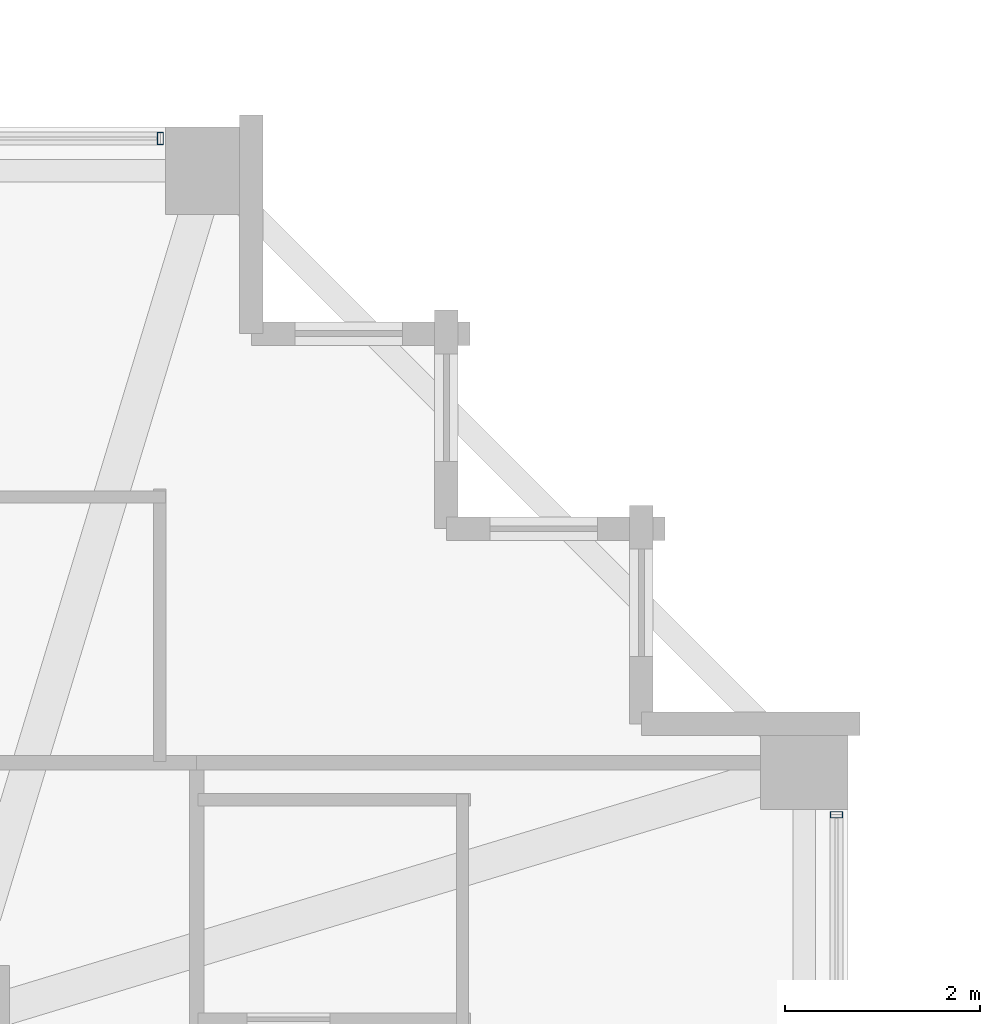
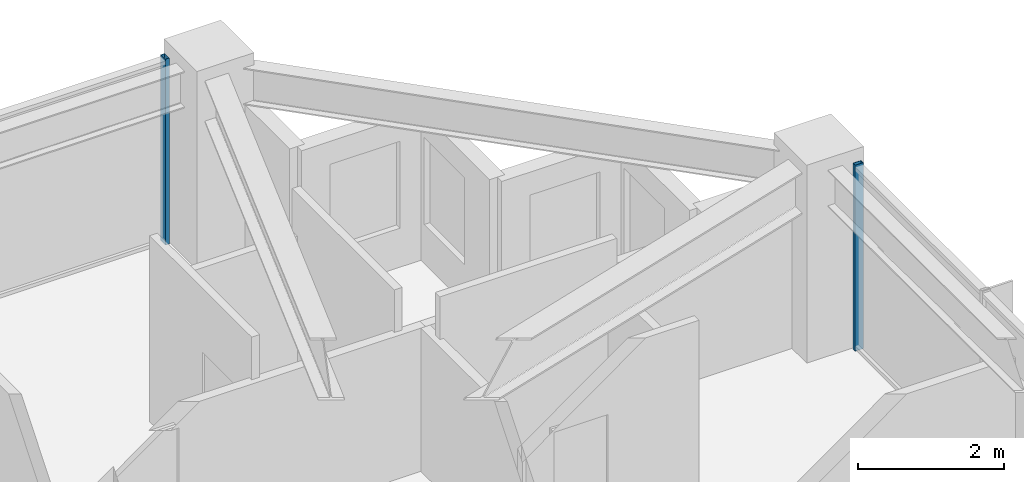
# One storey, part 24 of 37: 2 members, 2 elements without a shape of their own.
"""IFC4 building model written with IfcOpenShell, lengths in metres."""

from ifc_helpers import new_model, si_unit, direction, frame, origin, origin_2d, place, context, subcontext, project, spatial, hollow_rectangle, extrude, material, material_profile, profile_set, type_object, element, aggregate, save


model = new_model("IFC4")

# Units and contexts
model_context = context("Model", 3, precision=1e-05, world=origin(), true_north=direction((0.0, 1.0)))
body_context = subcontext(model_context, "Body", "Model", "MODEL_VIEW")
ifc_project = project(units=[si_unit("LENGTHUNIT", "METRE"), si_unit("AREAUNIT", "SQUARE_METRE"), si_unit("VOLUMEUNIT", "CUBIC_METRE"), si_unit("PLANEANGLEUNIT", "RADIAN"), si_unit("MASSUNIT", "GRAM", prefix="KILO")], contexts=[model_context])

# Site, building, storey
site_placement = place(None, origin())
site = spatial("IfcSite", under=ifc_project, at=site_placement, CompositionType="ELEMENT")
building_placement = place(site_placement, origin())
building = spatial("IfcBuilding", under=site, at=building_placement, Name="Kolvaren Belvedere", CompositionType="ELEMENT")
storey_placement = place(building_placement, frame((0.0, 0.0, 156.89990234375)))
storey = spatial("IfcBuildingStorey", under=building, at=storey_placement, Name="L45", CompositionType="ELEMENT", Elevation=156.89990234375)

# Curtain wall, member
ifc_material_1 = material(Name="Anodised pale-metal aluminium AA 6063-T6", Category="aluminium")
curtain_wall_type = type_object("IfcCurtainWallType", Name="CW-Z3-WAIST", PredefinedType="NOTDEFINED", material=ifc_material_1)
curtain_wall_1_placement = place(storey_placement, origin())
curtain_wall_1 = element("IfcCurtainWall", 1, at=curtain_wall_1_placement, inside=storey, type_object=curtain_wall_type, Name="L45 Unitised Curtain Wall FCW-L45-E1-B1", PredefinedType="NOTDEFINED")
ifc_material_2 = material(Name="Anodised pale-metal aluminium AA 6063-T6", Category="aluminium")
ifc_material_profile = material_profile(ifc_material_2, hollow_rectangle(XDim=0.06494140625, YDim=0.1298828125, WallThickness=0.00390625, at=origin_2d()), Name="ALU-MUL-130X65")
ifc_profile_set = profile_set([ifc_material_profile], Name="Anodised pale-metal aluminium AA 6063-T6")
member_type = type_object("IfcMemberType", Name="CW-MUL-130", PredefinedType="MULLION", material=ifc_profile_set)
member_1_placement = place(storey_placement, frame((18.97998046875, 12.047607421875, 0.0), z_axis=(0.0, 0.0, 1.0), x_axis=(0.0, 1.0, 0.0)))
member_1 = element("IfcMember", 2, at=member_1_placement, type_object=member_type, Name="FCW-L45-E1-B1 Unitised Mullion 1", PredefinedType="MULLION", context=body_context, shape_type="SweptSolid", body=[
    extrude(hollow_rectangle(XDim=0.06494140625, YDim=0.1298828125, WallThickness=0.00390625, at=origin_2d()), origin(), (0.0, 0.0, 1.0), 3.10009765625),
])
aggregate(curtain_wall_1, [member_1])

curtain_wall_2_placement = place(storey_placement, origin())
curtain_wall_2 = element("IfcCurtainWall", 3, at=curtain_wall_2_placement, inside=storey, type_object=curtain_wall_type, Name="L45 Unitised Curtain Wall FCW-L45-N-B3", PredefinedType="NOTDEFINED")
member_2_placement = place(storey_placement, frame((12.047607421875, 18.97998046875, 0.0), z_axis=(0.0, 0.0, 1.0), x_axis=(1.0, 0.0, 0.0)))
member_2 = element("IfcMember", 4, at=member_2_placement, type_object=member_type, Name="FCW-L45-N-B3 Unitised Mullion 3", PredefinedType="MULLION", context=body_context, shape_type="SweptSolid", body=[
    extrude(hollow_rectangle(XDim=0.06494140625, YDim=0.1298828125, WallThickness=0.00390625, at=origin_2d()), origin(), (0.0, 0.0, 1.0), 3.10009765625),
])
aggregate(curtain_wall_2, [member_2])

save(model, "model.ifc")
